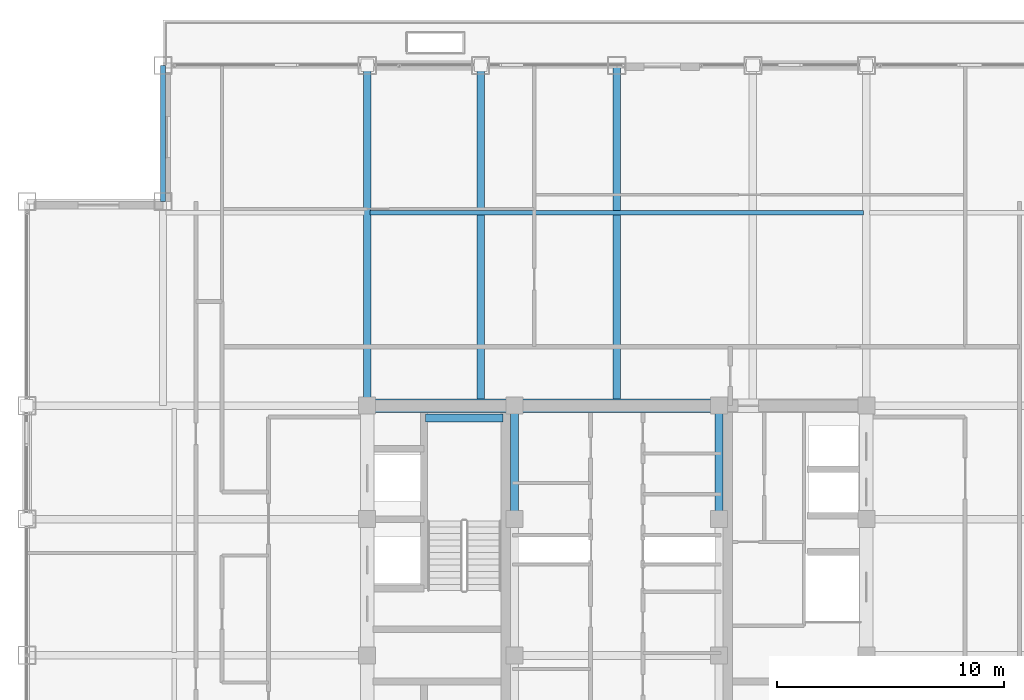
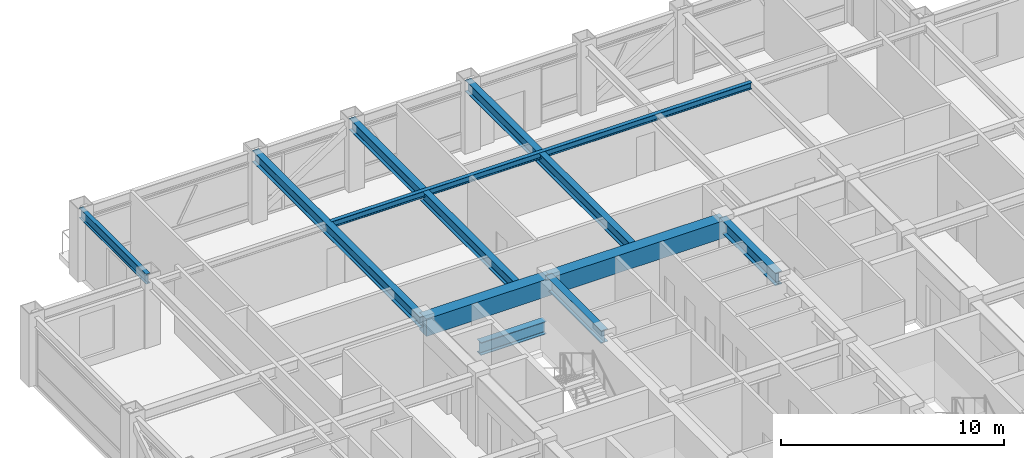
# One storey, part 16 of 30: 10 beams.
"""IFC4 building model written with IfcOpenShell, lengths in metres."""

from ifc_helpers import new_model, si_unit, direction, frame, origin, origin_2d, place, context, subcontext, project, spatial, rectangle, i_section, extrude, source, transform, mapped, material, material_profile, profile_set, type_object, element, save


model = new_model("IFC4")

# Units and contexts
model_context = context("Model", 3, precision=1e-05, world=origin(), true_north=direction((0.0, 1.0)))
body_context = subcontext(model_context, "Body", "Model", "MODEL_VIEW")
ifc_project = project(units=[si_unit("LENGTHUNIT", "METRE"), si_unit("AREAUNIT", "SQUARE_METRE"), si_unit("VOLUMEUNIT", "CUBIC_METRE"), si_unit("PLANEANGLEUNIT", "RADIAN"), si_unit("MASSUNIT", "GRAM", prefix="KILO")], contexts=[model_context])

# Site, building, storey
site_placement = place(None, origin())
site = spatial("IfcSite", under=ifc_project, at=site_placement, CompositionType="ELEMENT")
building_placement = place(site_placement, origin())
building = spatial("IfcBuilding", under=site, at=building_placement, Name="Khorayat Bourse Tower", CompositionType="ELEMENT")
storey_placement = place(building_placement, frame((0.0, 0.0, 326.300048828125)))
storey = spatial("IfcBuildingStorey", under=building, at=storey_placement, Name="L77", CompositionType="ELEMENT", Elevation=326.300048828125)

# Beams
ifc_material_1 = material(Name="Steel ASTM A992 Grade 50", Category="steel")
ifc_material_profile_1 = material_profile(ifc_material_1, i_section(OverallWidth=0.35498046875, OverallDepth=0.695068359375, WebThickness=0.015380859375, FlangeThickness=0.02490234375, FilletRadius=0.01806640625, at=origin_2d()), Name="W690X217")
ifc_profile_set_1 = profile_set([ifc_material_profile_1], Name="Steel ASTM A992 Grade 50")
beam_type_1 = type_object("IfcBeamType", Name="BM-GIRD-690", PredefinedType="BEAM", material=ifc_profile_set_1)
shared_shape_1 = source(origin(), body_context, "Body", "SweptSolid", [
    extrude(i_section(OverallWidth=0.35498046875, OverallDepth=0.695068359375, WebThickness=0.015380859375, FlangeThickness=0.02490234375, FilletRadius=0.01806640625, at=origin_2d()), origin(), (0.0, 0.0, 1.0), 5.0),
])
for number, where, z_axis, x_axis, name in (
    (1, (-4.5, 6.0, 3.392333984375), (0.0, 1.0, 0.0), (-1.0, 0.0, 0.0), "L77 BM-GIRD-690 BM-L77-CRX-08"),
    (2, (4.5, 6.0, 3.392333984375), (0.0, 1.0, 0.0), (-1.0, 0.0, 0.0), "L77 BM-GIRD-690 BM-L77-CRX-12"),
):
    element("IfcBeam", number, at=place(storey_placement, frame(where, z_axis=z_axis, x_axis=x_axis)), inside=storey, type_object=beam_type_1, Name=name, PredefinedType="BEAM", context=body_context, shape_type="MappedRepresentation", body=[
        mapped(shared_shape_1, transform((0.0, 0.0, 0.0), scale=1.0)),
    ])
shared_shape_2 = source(origin(), body_context, "Body", "SweptSolid", [
    extrude(i_section(OverallWidth=0.35498046875, OverallDepth=0.695068359375, WebThickness=0.015380859375, FlangeThickness=0.02490234375, FilletRadius=0.01806640625, at=origin_2d()), origin(), (0.0, 0.0, 1.0), 3.39990234375),
])
beam_1_placement = place(storey_placement, frame((-8.419921875, 10.449951171875, 1.452392578125), z_axis=(1.0, 0.0, 0.0), x_axis=(0.0, 1.0, 0.0)))
element("IfcBeam", 3, at=beam_1_placement, inside=storey, type_object=beam_type_1, Name="L77 BM-GIRD-690 BM-L77-ST2L", PredefinedType="BEAM", context=body_context, shape_type="MappedRepresentation", body=[
    mapped(shared_shape_2, transform((0.0, 0.0, 0.0), scale=1.0)),
])
ifc_material_2 = material(Name="Concrete C60/75", Category="concrete")
ifc_material_profile_2 = material_profile(ifc_material_2, rectangle(XDim=0.60009765625, YDim=0.949951171875, at=origin_2d()), Name="RC 600x950")
ifc_profile_set_2 = profile_set([ifc_material_profile_2], Name="Concrete C60/75")
beam_type_2 = type_object("IfcBeamType", Name="BM-COUP-950", PredefinedType="BEAM", material=ifc_profile_set_2)
shared_shape_3 = source(origin(), body_context, "Body", "SweptSolid", [
    extrude(rectangle(XDim=0.60009765625, YDim=0.949951171875, at=origin_2d()), origin(), (0.0, 0.0, 1.0), 6.5),
])
beam_2_placement = place(storey_placement, frame((-11.0, 11.0, 3.264892578125), z_axis=(1.0, 0.0, 0.0), x_axis=(0.0, 1.0, 0.0)))
element("IfcBeam", 4, at=beam_2_placement, inside=storey, type_object=beam_type_2, Name="L77 BM-COUP-950 BM-L77-CRY-20", PredefinedType="BEAM", context=body_context, shape_type="MappedRepresentation", body=[
    mapped(shared_shape_3, transform((0.0, 0.0, 0.0), scale=1.0)),
])
shared_shape_4 = source(origin(), body_context, "Body", "SweptSolid", [
    extrude(rectangle(XDim=0.60009765625, YDim=0.949951171875, at=origin_2d()), origin(), (0.0, 0.0, 1.0), 9.0),
])
beam_3_placement = place(storey_placement, frame((-4.5, 11.0, 3.264892578125), z_axis=(1.0, 0.0, 0.0), x_axis=(0.0, 1.0, 0.0)))
element("IfcBeam", 5, at=beam_3_placement, inside=storey, type_object=beam_type_2, Name="L77 BM-COUP-950 BM-L77-CRY-21", PredefinedType="BEAM", context=body_context, shape_type="MappedRepresentation", body=[
    mapped(shared_shape_4, transform((0.0, 0.0, 0.0), scale=1.0)),
])
ifc_material_profile_3 = material_profile(ifc_material_1, i_section(OverallWidth=0.202880859375, OverallDepth=0.346923828125, WebThickness=0.0078125, FlangeThickness=0.013427734375, FilletRadius=0.010009765625, at=origin_2d()), Name="W360X64")
ifc_profile_set_3 = profile_set([ifc_material_profile_3], Name="Steel ASTM A992 Grade 50")
beam_type_3 = type_object("IfcBeamType", Name="BM-JOIST-360", PredefinedType="JOIST", material=ifc_profile_set_3)
shared_shape_5 = source(origin(), body_context, "Body", "SweptSolid", [
    extrude(i_section(OverallWidth=0.202880859375, OverallDepth=0.346923828125, WebThickness=0.0078125, FlangeThickness=0.013427734375, FilletRadius=0.010009765625, at=origin_2d()), origin(), (0.0, 0.0, 1.0), 21.740234375),
])
beam_4_placement = place(storey_placement, frame((-10.8701171875, 19.5, 3.56640625), z_axis=(1.0, 0.0, 0.0), x_axis=(0.0, 1.0, 0.0)))
element("IfcBeam", 6, at=beam_4_placement, inside=storey, type_object=beam_type_3, Name="L77 BM-JOIST-360 BM-L77-JSTX-084", PredefinedType="JOIST", context=body_context, shape_type="MappedRepresentation", body=[
    mapped(shared_shape_5, transform((0.0, 0.0, 0.0), scale=1.0)),
])
ifc_material_profile_4 = material_profile(ifc_material_1, i_section(OverallWidth=0.214111328125, OverallDepth=0.549072265625, WebThickness=0.0146484375, FlangeThickness=0.023681640625, FilletRadius=0.013916015625, at=origin_2d()), Name="W530X138")
ifc_profile_set_4 = profile_set([ifc_material_profile_4], Name="Steel ASTM A992 Grade 50")
beam_type_4 = type_object("IfcBeamType", Name="BM-SPAN-530", PredefinedType="SPANDREL", material=ifc_profile_set_4)
shared_shape_6 = source(origin(), body_context, "Body", "SweptSolid", [
    extrude(i_section(OverallWidth=0.214111328125, OverallDepth=0.549072265625, WebThickness=0.0146484375, FlangeThickness=0.023681640625, FilletRadius=0.013916015625, at=origin_2d()), origin(), (0.0, 0.0, 1.0), 6.0),
])
beam_5_placement = place(storey_placement, frame((-20.0, 20.0, 3.46533203125), z_axis=(0.0, 1.0, 0.0), x_axis=(-1.0, 0.0, 0.0)))
element("IfcBeam", 7, at=beam_5_placement, inside=storey, type_object=beam_type_4, Name="L77 BM-SPAN-530 BM-L77-SPN-046", PredefinedType="SPANDREL", context=body_context, shape_type="MappedRepresentation", body=[
    mapped(shared_shape_6, transform((0.0, 0.0, 0.0), scale=1.0)),
])
ifc_material_profile_5 = material_profile(ifc_material_1, i_section(OverallWidth=0.324951171875, OverallDepth=0.615966796875, WebThickness=0.013916015625, FlangeThickness=0.021484375, FilletRadius=0.01611328125, at=origin_2d()), Name="W610X174")
ifc_profile_set_5 = profile_set([ifc_material_profile_5], Name="Steel ASTM A992 Grade 50")
beam_type_5 = type_object("IfcBeamType", Name="BM-GIRD-610", PredefinedType="BEAM", material=ifc_profile_set_5)
shared_shape_7 = source(origin(), body_context, "Body", "SweptSolid", [
    extrude(i_section(OverallWidth=0.324951171875, OverallDepth=0.615966796875, WebThickness=0.013916015625, FlangeThickness=0.021484375, FilletRadius=0.01611328125, at=origin_2d()), origin(), (0.0, 0.0, 1.0), 15.0),
])
for number, where, z_axis, x_axis, name in (
    (8, (-11.0, 11.0, 3.431884765625), (0.0, 1.0, 0.0), (-1.0, 0.0, 0.0), "L77 BM-GIRD-610 BM-L77-RADY-056"),
    (9, (-6.0, 11.0, 3.431884765625), (0.0, 1.0, 0.0), (-1.0, 0.0, 0.0), "L77 BM-GIRD-610 BM-L77-RADY-058"),
    (10, (0.0, 11.0, 3.431884765625), (0.0, 1.0, 0.0), (-1.0, 0.0, 0.0), "L77 BM-GIRD-610 BM-L77-RADY-060"),
):
    element("IfcBeam", number, at=place(storey_placement, frame(where, z_axis=z_axis, x_axis=x_axis)), inside=storey, type_object=beam_type_5, Name=name, PredefinedType="BEAM", context=body_context, shape_type="MappedRepresentation", body=[
        mapped(shared_shape_7, transform((0.0, 0.0, 0.0), scale=1.0)),
    ])

save(model, "model.ifc")
